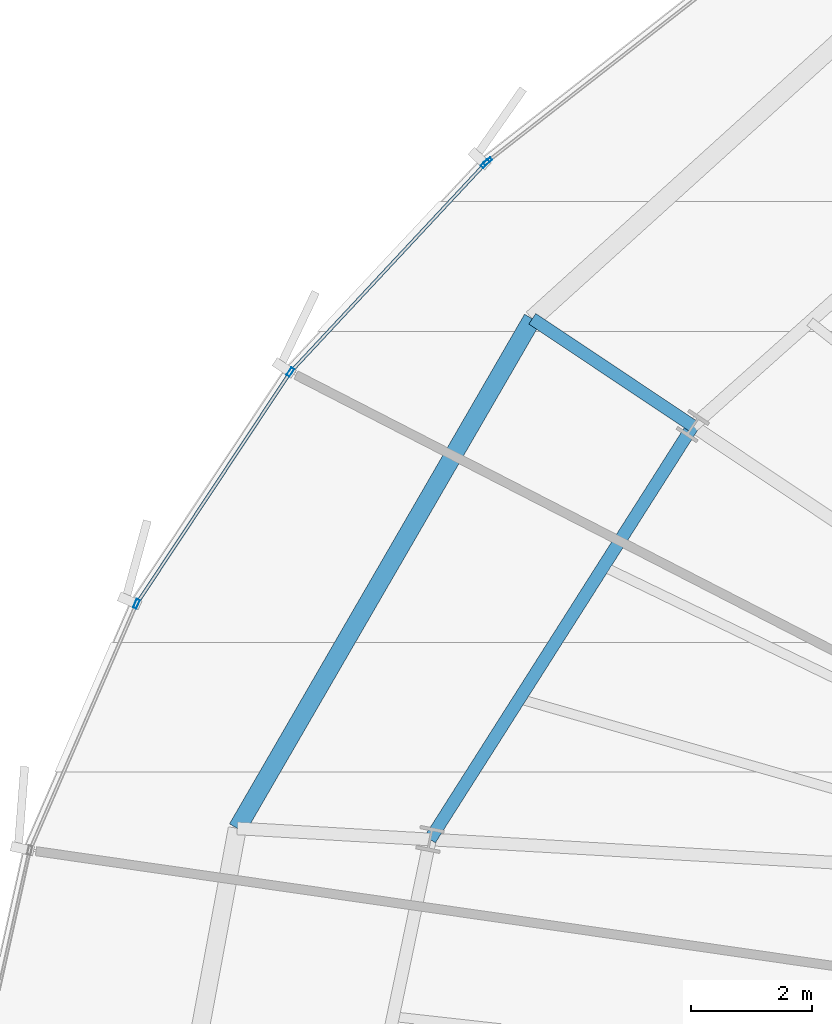
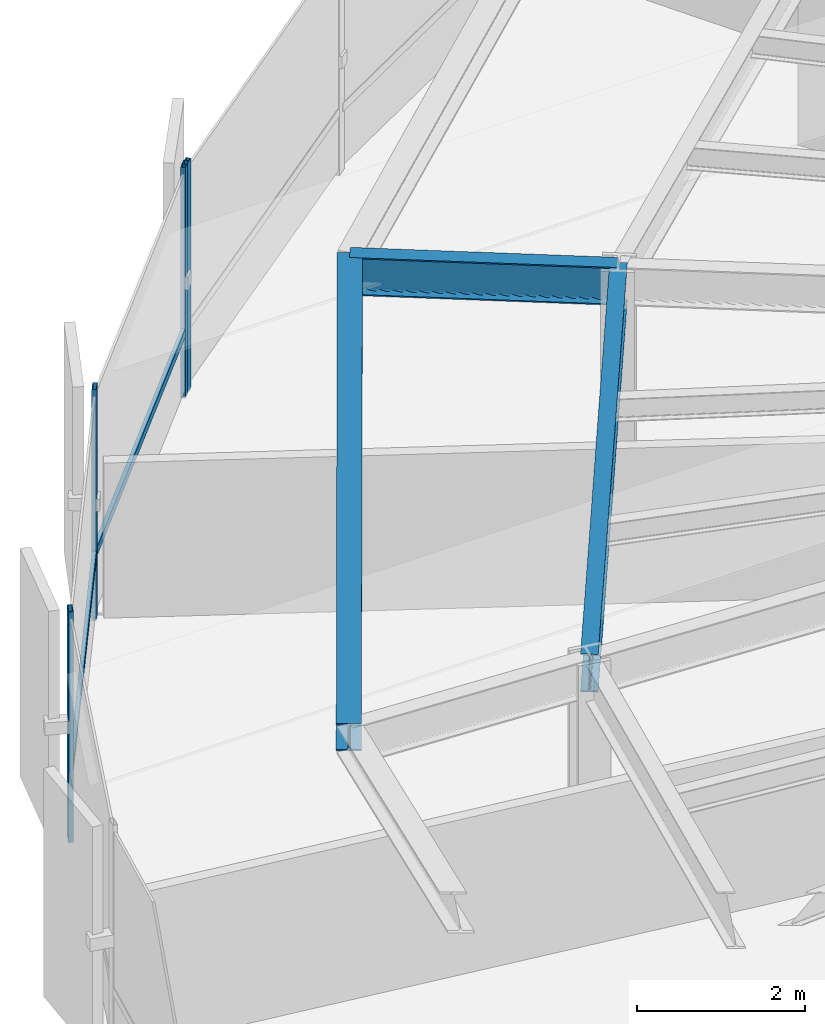
# One storey, part 18 of 35: 6 members, 3 beams, 2 elements without a shape of their own.
"""IFC4 building model written with IfcOpenShell, lengths in metres."""

from ifc_helpers import new_model, si_unit, direction, frame, origin, origin_2d, place, context, subcontext, project, spatial, hollow_rectangle, i_section, extrude, source, transform, mapped, material, layer, layer_set, material_profile, profile_set, type_object, element, aggregate, save


model = new_model("IFC4")

# Units and contexts
model_context = context("Model", 3, precision=1e-05, world=origin(), true_north=direction((0.0, 1.0)))
body_context = subcontext(model_context, "Body", "Model", "MODEL_VIEW")
ifc_project = project(units=[si_unit("LENGTHUNIT", "METRE"), si_unit("AREAUNIT", "SQUARE_METRE"), si_unit("VOLUMEUNIT", "CUBIC_METRE"), si_unit("PLANEANGLEUNIT", "RADIAN"), si_unit("MASSUNIT", "GRAM", prefix="KILO"), si_unit("THERMODYNAMICTEMPERATUREUNIT", "KELVIN")], contexts=[model_context])

# Site, building, storey
site_placement = place(None, origin())
site = spatial("IfcSite", under=ifc_project, at=site_placement, CompositionType="ELEMENT")
building_placement = place(site_placement, origin())
building = spatial("IfcBuilding", under=site, at=building_placement, Name="Kethvar Cultural Tower", CompositionType="ELEMENT")
storey_placement = place(building_placement, frame((0.0, 0.0, 103.60009765625)))
storey = spatial("IfcBuildingStorey", under=building, at=storey_placement, Name="L25", CompositionType="ELEMENT", Elevation=103.60009765625)

# Beams
ifc_material_1 = material(Name="Steel S355J2", Category="steel")
ifc_material_profile_1 = material_profile(ifc_material_1, i_section(OverallWidth=0.2099609375, OverallDepth=0.550048828125, WebThickness=0.010986328125, FlangeThickness=0.01708984375, FilletRadius=0.02392578125, at=origin_2d()), Name="Steel S355J2 — IPE550")
ifc_profile_set_1 = profile_set([ifc_material_profile_1], Name="Steel S355J2 — IPE550")
beam_type_1 = type_object("IfcBeamType", Name="BM-IPE550", PredefinedType="BEAM", material=ifc_profile_set_1)
shared_shape_1 = source(origin(), body_context, "Body", "SweptSolid", [
    extrude(i_section(OverallWidth=0.2099609375, OverallDepth=0.550048828125, WebThickness=0.010986328125, FlangeThickness=0.01708984375, FilletRadius=0.02392578125, at=origin_2d()), origin(), (0.0, 0.0, 1.0), 3.199951171875),
])
beam_1_placement = place(storey_placement, frame((30.345947265625, 38.794189453125, 3.072998046875), z_axis=(-0.831462943996, 0.555580212716, 0.0), x_axis=(-0.555580212716, -0.831462943996, 0.0)))
element("IfcBeam", 1, at=beam_1_placement, inside=storey, type_object=beam_type_1, Name="L25 Perimeter Cantilever Beam RC-07", PredefinedType="BEAM", context=body_context, shape_type="MappedRepresentation", body=[
    mapped(shared_shape_1, transform((0.0, 0.0, 0.0), scale=1.0)),
])
shared_shape_2 = source(origin(), body_context, "Body", "SweptSolid", [
    extrude(i_section(OverallWidth=0.2099609375, OverallDepth=0.550048828125, WebThickness=0.010986328125, FlangeThickness=0.01708984375, FilletRadius=0.02392578125, at=origin_2d()), origin(), (0.0, 0.0, 1.0), 8.122314453125),
])
beam_2_placement = place(storey_placement, frame((30.345947265625, 38.794189453125, 3.072998046875), z_axis=(-0.536478664647, -0.843913883272, 0.0), x_axis=(0.843913883272, -0.536478664647, 0.0)))
element("IfcBeam", 2, at=beam_2_placement, inside=storey, type_object=beam_type_1, Name="L25 Column Ring Tie Beam CR-07", PredefinedType="BEAM", context=body_context, shape_type="MappedRepresentation", body=[
    mapped(shared_shape_2, transform((0.0, 0.0, 0.0), scale=1.0)),
])
ifc_material_profile_2 = material_profile(ifc_material_1, i_section(OverallWidth=0.300048828125, OverallDepth=0.39990234375, WebThickness=0.013427734375, FlangeThickness=0.02392578125, FilletRadius=0.027099609375, at=origin_2d()), Name="Steel S355J2 — HEB400")
ifc_profile_set_2 = profile_set([ifc_material_profile_2], Name="Steel S355J2 — HEB400")
beam_type_2 = type_object("IfcBeamType", Name="BM-SP400", PredefinedType="SPANDREL", material=ifc_profile_set_2)
shared_shape_3 = source(origin(), body_context, "Body", "SweptSolid", [
    extrude(i_section(OverallWidth=0.300048828125, OverallDepth=0.39990234375, WebThickness=0.013427734375, FlangeThickness=0.02392578125, FilletRadius=0.027099609375, at=origin_2d()), origin(), (0.0, 0.0, 1.0), 9.762939453125),
])
beam_3_placement = place(storey_placement, frame((27.685302734375, 40.572021484375, 3.14794921875), z_axis=(-0.501043170838, -0.865422290536, 0.0), x_axis=(0.865422290536, -0.501043170838, 0.0)))
element("IfcBeam", 3, at=beam_3_placement, inside=storey, type_object=beam_type_2, Name="L25 Perimeter Spandrel Beam SP-07", PredefinedType="SPANDREL", context=body_context, shape_type="MappedRepresentation", body=[
    mapped(shared_shape_3, transform((0.0, 0.0, 0.0), scale=1.0)),
])

# Curtain wall, member
ifc_material_2 = material(Name="Aluminium 6063-T6", Category="aluminium")
ifc_layer = layer(ifc_material_2, 0.179931640625, Name="Aluminium 6063-T6", Category="aluminium")
ifc_layer_set = layer_set([ifc_layer], Name="Aluminium 6063-T6 (180 mm)")
curtain_wall_type = type_object("IfcCurtainWallType", Name="CW-SYS-03-Z2", PredefinedType="NOTDEFINED", material=ifc_layer_set)
curtain_wall_1_placement = place(storey_placement, origin())
curtain_wall_1 = element("IfcCurtainWall", 4, at=curtain_wall_1_placement, inside=storey, type_object=curtain_wall_type, Name="L25 Curtain Wall Run 02", PredefinedType="NOTDEFINED")
ifc_material_profile_3 = material_profile(ifc_material_2, hollow_rectangle(XDim=0.06005859375, YDim=0.14990234375, WallThickness=0.0048828125, at=origin_2d()), Name="Aluminium 6063-T6 — RHS150x60x5")
ifc_profile_set_3 = profile_set([ifc_material_profile_3], Name="Aluminium 6063-T6 — RHS150x60x5")
member_type_1 = type_object("IfcMemberType", Name="CW-SYS-03-Z2-MUL", PredefinedType="MULLION", material=ifc_profile_set_3)
shared_shape_4 = source(origin(), body_context, "Body", "SweptSolid", [
    extrude(hollow_rectangle(XDim=0.06005859375, YDim=0.14990234375, WallThickness=0.0048828125, at=origin_2d()), origin(), (0.0, 0.0, 1.0), 3.349853515625),
])
member_1_placement = place(storey_placement, frame((26.945068359375, 43.181884765625, 0.0), z_axis=(0.0, 0.0, 1.0), x_axis=(0.615936505456, -0.787795799206, 0.0)))
member_1 = element("IfcMember", 5, at=member_1_placement, type_object=member_type_1, Name="CW-L25-R02 Mullion 7", PredefinedType="MULLION", context=body_context, shape_type="MappedRepresentation", body=[
    mapped(shared_shape_4, transform((0.0, 0.0, 0.0), scale=1.0)),
])
aggregate(curtain_wall_1, [member_1])

# Curtain wall, members
curtain_wall_2_placement = place(storey_placement, origin())
curtain_wall_2 = element("IfcCurtainWall", 6, at=curtain_wall_2_placement, inside=storey, type_object=curtain_wall_type, Name="L25 Curtain Wall Run 03", PredefinedType="NOTDEFINED")
member_2_placement = place(storey_placement, frame((26.90087890625, 43.1416015625, 0.0), z_axis=(0.0, 0.0, 1.0), x_axis=(0.730841661679, -0.682547042741, 0.0)))
member_2 = element("IfcMember", 7, at=member_2_placement, type_object=member_type_1, Name="CW-L25-R03 Mullion 1", PredefinedType="MULLION", context=body_context, shape_type="MappedRepresentation", body=[
    mapped(shared_shape_4, transform((0.0, 0.0, 0.0), scale=1.0)),
])
member_3_placement = place(storey_placement, frame((23.673095703125, 39.68798828125, 0.0), z_axis=(0.0, 0.0, 1.0), x_axis=(0.833336321802, -0.55276629308, 0.0)))
member_3 = element("IfcMember", 8, at=member_3_placement, type_object=member_type_1, Name="CW-L25-R03 Mullion 2", PredefinedType="MULLION", context=body_context, shape_type="MappedRepresentation", body=[
    mapped(shared_shape_4, transform((0.0, 0.0, 0.0), scale=1.0)),
])
member_4_placement = place(storey_placement, frame((21.122314453125, 35.845703125, 0.0), z_axis=(0.0, 0.0, 1.0), x_axis=(0.917740762048, -0.397179926073, 0.0)))
member_4 = element("IfcMember", 9, at=member_4_placement, type_object=member_type_1, Name="CW-L25-R03 Mullion 3", PredefinedType="MULLION", context=body_context, shape_type="MappedRepresentation", body=[
    mapped(shared_shape_4, transform((0.0, 0.0, 0.0), scale=1.0)),
])
ifc_material_profile_4 = material_profile(ifc_material_2, hollow_rectangle(XDim=0.054931640625, YDim=0.1201171875, WallThickness=0.00390625, at=origin_2d()), Name="Aluminium 6063-T6 — RHS120x55x4")
ifc_profile_set_4 = profile_set([ifc_material_profile_4], Name="Aluminium 6063-T6 — RHS120x55x4")
member_type_2 = type_object("IfcMemberType", Name="CW-SYS-03-Z2-TRN", PredefinedType="USERDEFINED", material=ifc_profile_set_4)
shared_shape_5 = source(origin(), body_context, "Body", "SweptSolid", [
    extrude(hollow_rectangle(XDim=0.054931640625, YDim=0.1201171875, WallThickness=0.00390625, at=origin_2d()), origin(), (0.0, 0.0, 1.0), 4.698486328125),
])
member_5_placement = place(storey_placement, frame((26.89794921875, 43.138427734375, 0.949951171875), z_axis=(-0.682558887565, -0.730830599391, 0.0), x_axis=(0.730830599391, -0.682558887565, 0.0)))
member_5 = element("IfcMember", 10, at=member_5_placement, type_object=member_type_2, Name="CW-L25-R03 Transom 1", ObjectType="TRANSOM", PredefinedType="USERDEFINED", context=body_context, shape_type="MappedRepresentation", body=[
    mapped(shared_shape_5, transform((0.0, 0.0, 0.0), scale=1.0)),
])
shared_shape_6 = source(origin(), body_context, "Body", "SweptSolid", [
    extrude(hollow_rectangle(XDim=0.054931640625, YDim=0.1201171875, WallThickness=0.00390625, at=origin_2d()), origin(), (0.0, 0.0, 1.0), 4.545654296875),
])
member_6_placement = place(storey_placement, frame((23.6494140625, 39.65185546875, 0.949951171875), z_axis=(-0.552765201928, -0.833337045581, 0.0), x_axis=(0.833337045581, -0.552765201928, 0.0)))
member_6 = element("IfcMember", 11, at=member_6_placement, type_object=member_type_2, Name="CW-L25-R03 Transom 2", ObjectType="TRANSOM", PredefinedType="USERDEFINED", context=body_context, shape_type="MappedRepresentation", body=[
    mapped(shared_shape_6, transform((0.0, 0.0, 0.0), scale=1.0)),
])
aggregate(curtain_wall_2, [member_2, member_3, member_4, member_5, member_6])

save(model, "model.ifc")
